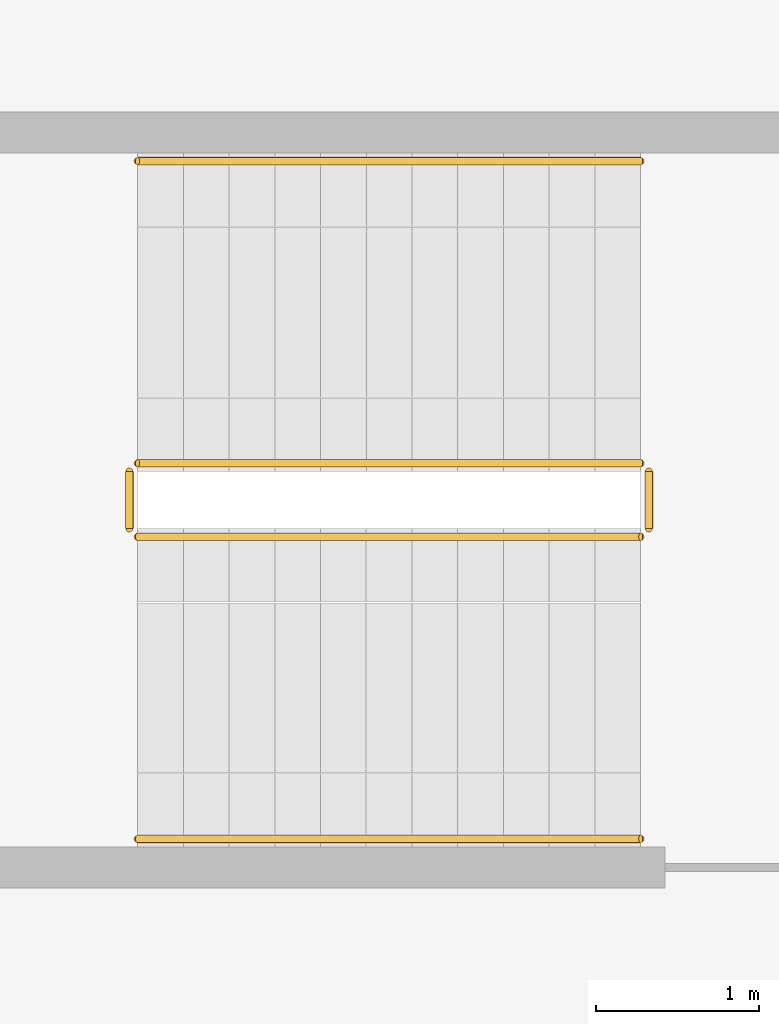
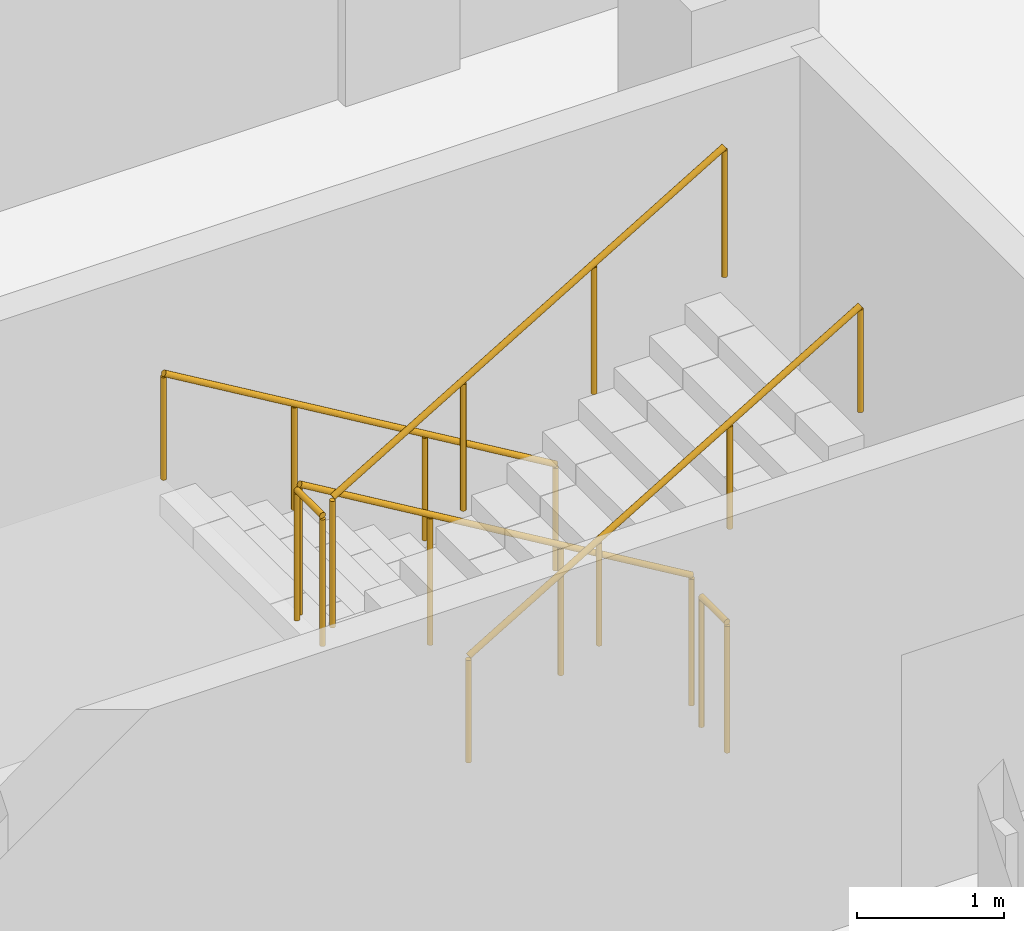
# One storey, part 15 of 15: 1 railing.
"""IFC4 building model written with IfcOpenShell, lengths in metres."""

from ifc_helpers import new_model, si_unit, direction, frame, origin, origin_2d, place, context, subcontext, project, spatial, circle, extrude, material, type_object, element, save


model = new_model("IFC4")

# Units and contexts
model_context = context("Model", 3, precision=1e-05, world=origin(), true_north=direction((0.0, 1.0)))
body_context = subcontext(model_context, "Body", "Model", "MODEL_VIEW")
ifc_project = project(units=[si_unit("LENGTHUNIT", "METRE"), si_unit("AREAUNIT", "SQUARE_METRE"), si_unit("VOLUMEUNIT", "CUBIC_METRE"), si_unit("PLANEANGLEUNIT", "RADIAN"), si_unit("MASSUNIT", "GRAM", prefix="KILO")], contexts=[model_context])

# Site, building, storey
site_placement = place(None, origin())
site = spatial("IfcSite", under=ifc_project, at=site_placement, CompositionType="ELEMENT")
building_placement = place(site_placement, origin())
building = spatial("IfcBuilding", under=site, at=building_placement, Name="Corbelhall Arena Tower", CompositionType="ELEMENT")
storey_placement = place(building_placement, frame((0.0, 0.0, 196.0)))
storey = spatial("IfcBuildingStorey", under=building, at=storey_placement, Name="L40", CompositionType="ELEMENT", Elevation=196.0)

# Railing
ifc_material = material(Name="Steel ASTM A500 Gr C", Category="steel")
railing_type = type_object("IfcRailingType", Name="IN-GD-1100", PredefinedType="GUARDRAIL", material=ifc_material)
railing_placement = place(storey_placement, frame((11.425048828125, 14.77490234375, 0.166748046875)))
element("IfcRailing", 1, at=railing_placement, inside=storey, type_object=railing_type, Name="L40 ST3 stair guards and handrails", PredefinedType="GUARDRAIL", context=body_context, shape_type="SweptSolid", body=[
    extrude(circle(Radius=0.02392578125, at=origin_2d()), frame((0.0, 0.0, 1.076171875), z_axis=(-0.859308565015, 0.0, 0.511457515432), x_axis=(0.0, -1.0, 0.0)), (0.0, 0.0, 1.0), 3.58447265625),
    extrude(circle(Radius=0.02392578125, at=origin_2d()), frame((-3.130126953125, -0.0498046875, 2.9091796875), z_axis=(0.0, -1.0, 0.0), x_axis=(1.0, 0.0, 0.0)), (0.0, 0.0, 1.0), 0.35009765625),
    extrude(circle(Radius=0.02392578125, at=origin_2d()), frame((-3.080078125, -0.449951171875, 3.076171875), z_axis=(0.859308565015, 0.0, 0.511457515432), x_axis=(0.0, 1.0, 0.0)), (0.0, 0.0, 1.0), 3.58447265625),
    extrude(circle(Radius=0.02392578125, at=origin_2d()), frame((0.050048828125, -0.0498046875, 0.9091796875), z_axis=(0.0, -1.0, 0.0), x_axis=(1.0, 0.0, 0.0)), (0.0, 0.0, 1.0), 0.35009765625),
    extrude(circle(Radius=0.02392578125, at=origin_2d()), frame((0.0, 1.85009765625, 0.8759765625), z_axis=(-0.859308565015, 0.0, 0.511457515432), x_axis=(0.0, -1.0, 0.0)), (0.0, 0.0, 1.0), 3.58447265625),
    extrude(circle(Radius=0.02392578125, at=origin_2d()), frame((-3.080078125, -2.2998046875, 2.8759765625), z_axis=(0.859308565015, 0.0, 0.511457515432), x_axis=(0.0, 1.0, 0.0)), (0.0, 0.0, 1.0), 3.58447265625),
    extrude(circle(Radius=0.02099609375, at=origin_2d()), origin(), (0.0, 0.0, 1.0), 1.052001953125),
    extrude(circle(Radius=0.02099609375, at=origin_2d()), frame((-1.026611328125, 0.0, 0.611083984375)), (0.0, 0.0, 1.0), 1.052001953125),
    extrude(circle(Radius=0.02099609375, at=origin_2d()), frame((-2.053466796875, 0.0, 1.22216796875)), (0.0, 0.0, 1.0), 1.052001953125),
    extrude(circle(Radius=0.02099609375, at=origin_2d()), frame((-3.080078125, 0.0, 1.833251953125)), (0.0, 0.0, 1.0), 1.052001953125),
    extrude(circle(Radius=0.02099609375, at=origin_2d()), frame((-3.130126953125, -0.0498046875, 1.833251953125)), (0.0, 0.0, 1.0), 1.052001953125),
    extrude(circle(Radius=0.02099609375, at=origin_2d()), frame((-3.130126953125, -0.39990234375, 1.833251953125)), (0.0, 0.0, 1.0), 1.052001953125),
    extrude(circle(Radius=0.02099609375, at=origin_2d()), frame((-3.080078125, -0.449951171875, 2.0)), (0.0, 0.0, 1.0), 1.052001953125),
    extrude(circle(Radius=0.02099609375, at=origin_2d()), frame((-2.053466796875, -0.449951171875, 2.611083984375)), (0.0, 0.0, 1.0), 1.052001953125),
    extrude(circle(Radius=0.02099609375, at=origin_2d()), frame((-1.026611328125, -0.449951171875, 3.22216796875)), (0.0, 0.0, 1.0), 1.052001953125),
    extrude(circle(Radius=0.02099609375, at=origin_2d()), frame((0.0, -0.449951171875, 3.833251953125)), (0.0, 0.0, 1.0), 1.052001953125),
    extrude(circle(Radius=0.02099609375, at=origin_2d()), frame((0.050048828125, -0.0498046875, -0.166748046875)), (0.0, 0.0, 1.0), 1.052001953125),
    extrude(circle(Radius=0.02099609375, at=origin_2d()), frame((0.050048828125, -0.39990234375, -0.166748046875)), (0.0, 0.0, 1.0), 1.052001953125),
    extrude(circle(Radius=0.02099609375, at=origin_2d()), frame((0.0, 1.85009765625, 0.0)), (0.0, 0.0, 1.0), 0.851806640625),
    extrude(circle(Radius=0.02099609375, at=origin_2d()), frame((-1.026611328125, 1.85009765625, 0.611083984375)), (0.0, 0.0, 1.0), 0.851806640625),
    extrude(circle(Radius=0.02099609375, at=origin_2d()), frame((-2.053466796875, 1.85009765625, 1.22216796875)), (0.0, 0.0, 1.0), 0.851806640625),
    extrude(circle(Radius=0.02099609375, at=origin_2d()), frame((-3.080078125, 1.85009765625, 1.833251953125)), (0.0, 0.0, 1.0), 0.851806640625),
    extrude(circle(Radius=0.02099609375, at=origin_2d()), frame((-3.080078125, -2.2998046875, 2.0)), (0.0, 0.0, 1.0), 0.851806640625),
    extrude(circle(Radius=0.02099609375, at=origin_2d()), frame((-2.053466796875, -2.2998046875, 2.611083984375)), (0.0, 0.0, 1.0), 0.851806640625),
    extrude(circle(Radius=0.02099609375, at=origin_2d()), frame((-1.026611328125, -2.2998046875, 3.22216796875)), (0.0, 0.0, 1.0), 0.851806640625),
    extrude(circle(Radius=0.02099609375, at=origin_2d()), frame((0.0, -2.2998046875, 3.833251953125)), (0.0, 0.0, 1.0), 0.851806640625),
])

save(model, "model.ifc")
